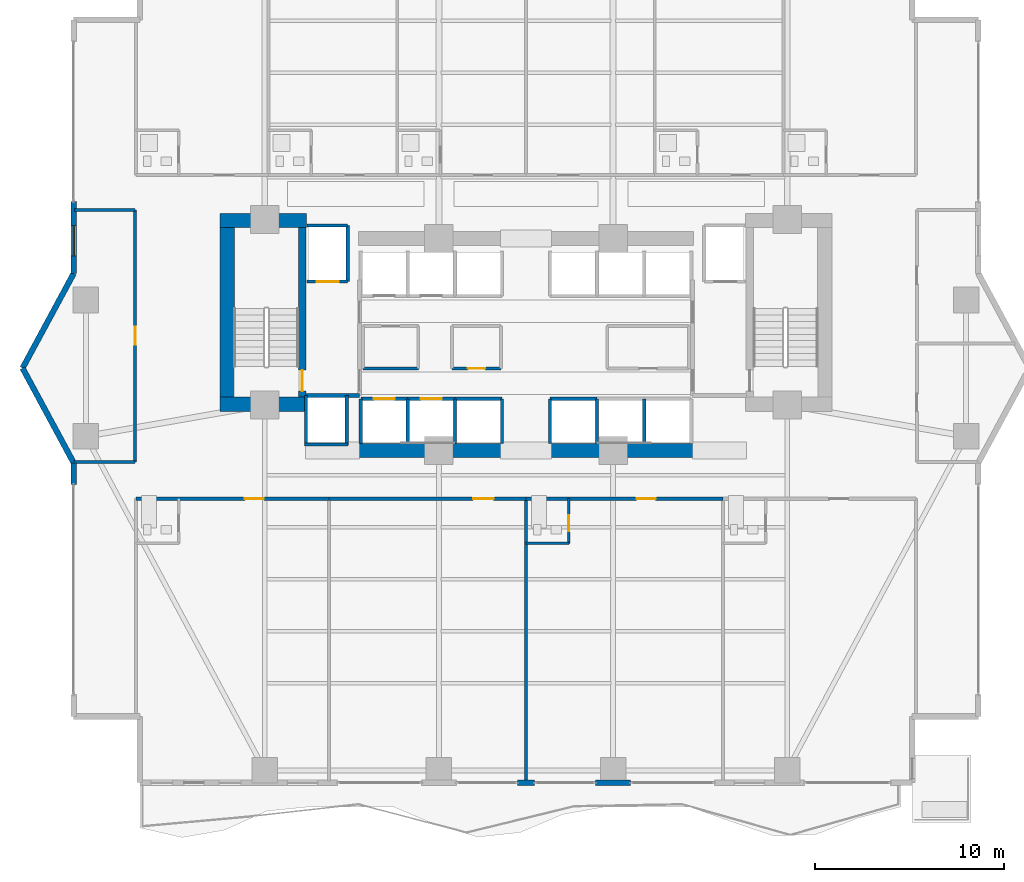
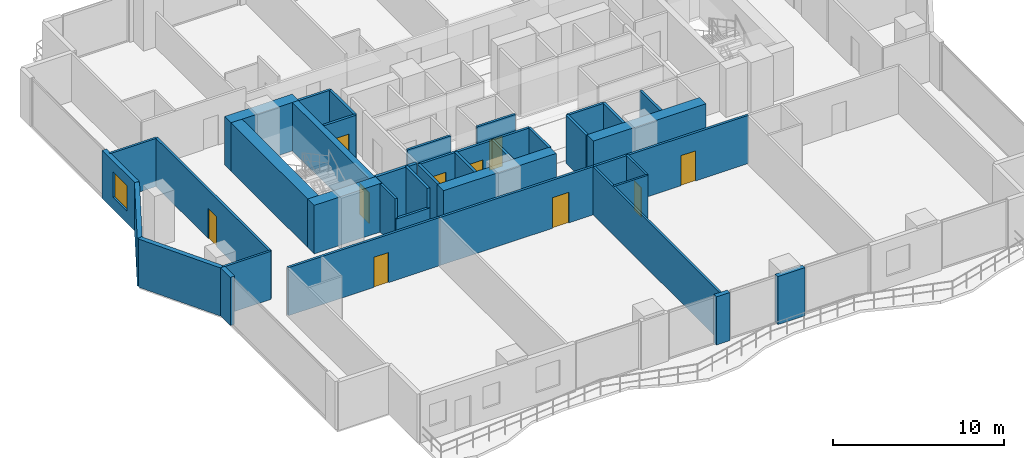
# One storey, part 21 of 29: 41 walls, 10 doors, 1 window, 11 openings.
"""IFC4 building model written with IfcOpenShell, lengths in metres."""

from ifc_helpers import new_model, si_unit, direction, frame, frame_2d, origin, place, context, subcontext, project, spatial, rectangle, extrude, material, layer, layer_set, type_object, element, fill, save


model = new_model("IFC4")

# Units and contexts
model_context = context("Model", 3, precision=1e-05, world=origin(), true_north=direction((0.0, 1.0)))
body_context = subcontext(model_context, "Body", "Model", "MODEL_VIEW")
ifc_project = project(units=[si_unit("LENGTHUNIT", "METRE"), si_unit("AREAUNIT", "SQUARE_METRE"), si_unit("VOLUMEUNIT", "CUBIC_METRE"), si_unit("PLANEANGLEUNIT", "RADIAN"), si_unit("MASSUNIT", "GRAM", prefix="KILO")], contexts=[model_context])

# Site, building, storey
site_placement = place(None, origin())
site = spatial("IfcSite", under=ifc_project, at=site_placement, CompositionType="ELEMENT")
building_placement = place(site_placement, origin())
building = spatial("IfcBuilding", under=site, at=building_placement, Name="Zuhayl Quay Hotel", CompositionType="ELEMENT")
storey_placement = place(building_placement, frame((0.0, 0.0, 132.14990234375)))
storey = spatial("IfcBuildingStorey", under=building, at=storey_placement, Name="L33", CompositionType="ELEMENT", Elevation=132.14990234375)

# Walls
ifc_material_1 = material(Name="Concrete C60/75", Category="concrete")
ifc_layer_1 = layer(ifc_material_1, 0.75, Name="Concrete C60/75", Category="concrete")
ifc_layer_set_1 = layer_set([ifc_layer_1], Name="Concrete C60/75")
wall_type_1 = type_object("IfcWallType", Name="WL_CORE_750", PredefinedType="SHEAR", material=ifc_layer_set_1)
wall_1_placement = place(storey_placement, frame((-16.159912109375, 14.304931640625, 0.0), z_axis=(0.0, 0.0, 1.0), x_axis=(1.0, 0.0, 0.0)))
element("IfcWall", 1, at=wall_1_placement, inside=storey, type_object=wall_type_1, Name="L33 Core Shear Wall CW_NW", PredefinedType="SHEAR", context=body_context, shape_type="SweptSolid", body=[
    extrude(rectangle(XDim=4.559814453125, YDim=0.75, at=frame_2d((2.27978515625, 0.0))), origin(), (0.0, 0.0, 1.0), 3.460205078125),
])
wall_2_placement = place(storey_placement, frame((-15.784912109375, 4.969970703125, 0.0), z_axis=(0.0, 0.0, 1.0), x_axis=(0.0, 1.0, 0.0)))
element("IfcWall", 2, at=wall_2_placement, inside=storey, type_object=wall_type_1, Name="L33 Core Shear Wall CW_W", PredefinedType="SHEAR", context=body_context, shape_type="SweptSolid", body=[
    extrude(rectangle(XDim=8.9599609375, YDim=0.75, at=frame_2d((4.47998046875, 0.0))), origin(), (0.0, 0.0, 1.0), 3.460205078125),
])
wall_3_placement = place(storey_placement, frame((-16.159912109375, 4.594970703125, 0.0), z_axis=(0.0, 0.0, 1.0), x_axis=(1.0, 0.0, 0.0)))
element("IfcWall", 3, at=wall_3_placement, inside=storey, type_object=wall_type_1, Name="L33 Core Shear Wall CW_SW", PredefinedType="SHEAR", context=body_context, shape_type="SweptSolid", body=[
    extrude(rectangle(XDim=4.559814453125, YDim=0.75, at=frame_2d((2.27978515625, 0.0))), origin(), (0.0, 0.0, 1.0), 3.460205078125),
])
for number, where, z_axis, x_axis, name in (
    (4, (-8.85009765625, 2.14990234375, 0.0), (0.0, 0.0, 1.0), (1.0, 0.0, 0.0), "L33 Core Shear Wall CW_SC_W"),
    (5, (1.25, 2.14990234375, 0.0), (0.0, 0.0, 1.0), (1.0, 0.0, 0.0), "L33 Core Shear Wall CW_SC_E"),
):
    element("IfcWall", number, at=place(storey_placement, frame(where, z_axis=z_axis, x_axis=x_axis)), inside=storey, type_object=wall_type_1, Name=name, PredefinedType="SHEAR", context=body_context, shape_type="SweptSolid", body=[
        extrude(rectangle(XDim=7.60009765625, YDim=0.75, at=frame_2d((3.800048828125, 0.0))), origin(), (0.0, 0.0, 1.0), 3.43017578125),
    ])
ifc_material_2 = material(Name="Precast concrete C45/55", Category="concrete")
ifc_layer_2 = layer(ifc_material_2, 0.300048828125, Name="Precast concrete C45/55", Category="concrete")
ifc_layer_set_2 = layer_set([ifc_layer_2], Name="Precast concrete C45/55")
wall_type_2 = type_object("IfcWallType", Name="WL_EXT_300", PredefinedType="STANDARD", material=ifc_layer_set_2)
wall_4_placement = place(storey_placement, frame((-23.89990234375, 0.35009765625, 0.0), z_axis=(0.0, 0.0, 1.0), x_axis=(0.0, 1.0, 0.0)))
element("IfcWall", 6, at=wall_4_placement, inside=storey, type_object=wall_type_2, Name="L33 Exterior Precast Wall ENV_L33_E02_EW2", PredefinedType="STANDARD", context=body_context, shape_type="SweptSolid", body=[
    extrude(rectangle(XDim=1.14990234375, YDim=0.300048828125, at=frame_2d((0.574951171875, 0.0))), origin(), (0.0, 0.0, 1.0), 3.43017578125),
])
for number, where, z_axis, x_axis, name in (
    (7, (-23.89990234375, 1.5, 0.0), (0.0, 0.0, 1.0), (-0.475175525499, 0.879891027325, 0.0), "L33 Exterior Precast Wall ENV_L33_EW03"),
    (8, (-26.60009765625, 6.5, 0.0), (0.0, 0.0, 1.0), (0.475175525499, 0.879891027325, 0.0), "L33 Exterior Precast Wall ENV_L33_EW04"),
):
    element("IfcWall", number, at=place(storey_placement, frame(where, z_axis=z_axis, x_axis=x_axis)), inside=storey, type_object=wall_type_2, Name=name, PredefinedType="STANDARD", context=body_context, shape_type="SweptSolid", body=[
        extrude(rectangle(XDim=5.6826171875, YDim=0.300048828125, at=frame_2d((2.84130859375, 0.0))), origin(), (0.0, 0.0, 1.0), 3.43017578125),
    ])

# Wall, opening, window
wall_5_placement = place(storey_placement, frame((-23.89990234375, 11.5, 0.0), z_axis=(0.0, 0.0, 1.0), x_axis=(0.0, 1.0, 0.0)))
wall_5 = element("IfcWall", 9, at=wall_5_placement, inside=storey, type_object=wall_type_2, Name="L33 Exterior Precast Wall ENV_L33_E05_EW1", PredefinedType="STANDARD", context=body_context, shape_type="SweptSolid", body=[
    extrude(rectangle(XDim=3.800048828125, YDim=0.300048828125, at=frame_2d((1.89990234375, 0.0))), origin(), (0.0, 0.0, 1.0), 3.43017578125),
])
opening_1_placement = place(wall_5_placement, frame((0.93505859375, 0.0, 0.85009765625)))
opening_1 = element("IfcOpeningElement", 10, at=opening_1_placement, cuts=wall_5, Name="Opening W01", PredefinedType="OPENING", context=body_context, shape_type="SweptSolid", body=[
    extrude(rectangle(XDim=1.60009765625, YDim=1.800048828125, at=frame_2d((0.800048828125, 0.89990234375))), frame((0.0, 0.159912109375, 0.0), z_axis=(0.0, -1.0, 0.0), x_axis=(1.0, 0.0, 0.0)), (0.0, 0.0, 1.0), 0.320068359375),
])
ifc_material_3 = material(Name="Dark Ceramic-Fritted Solar Glass", Category="glass")
window_type = type_object("IfcWindowType", Name="WN_OPERABLE_1600", PartitioningType="DOUBLE_PANEL_VERTICAL", PredefinedType="WINDOW", material=ifc_material_3)
window_placement = place(opening_1_placement, origin())
window = element("IfcWindow", 11, at=window_placement, inside=storey, type_object=window_type, Name="L33 Operable Facade Window 1-1", OverallHeight=1.800048828125, OverallWidth=1.60009765625, PartitioningType="SINGLE_PANEL", PredefinedType="WINDOW", context=body_context, shape_type="SweptSolid", body=[
    extrude(rectangle(XDim=1.60009765625, YDim=1.800048828125, at=frame_2d((0.800048828125, 0.89990234375))), frame((0.0, 0.030029296875, 0.0), z_axis=(0.0, -1.0, 0.0), x_axis=(1.0, 0.0, 0.0)), (0.0, 0.0, 1.0), 0.06005859375),
])
fill(opening_1, window)

# Walls
wall_6_placement = place(storey_placement, frame((5.52001953125, -15.39990234375, 0.0), z_axis=(0.0, 0.0, 1.0), x_axis=(-1.0, 0.0, 0.0)))
element("IfcWall", 12, at=wall_6_placement, inside=storey, type_object=wall_type_2, Name="L33 Exterior Precast Wall ENV_L33_S_EW3", PredefinedType="STANDARD", context=body_context, shape_type="SweptSolid", body=[
    extrude(rectangle(XDim=1.840087890625, YDim=0.300048828125, at=frame_2d((0.919921875, 0.0))), origin(), (0.0, 0.0, 1.0), 3.43017578125),
])
wall_7_placement = place(storey_placement, frame((0.449951171875, -15.39990234375, 0.0), z_axis=(0.0, 0.0, 1.0), x_axis=(-1.0, 0.0, 0.0)))
element("IfcWall", 13, at=wall_7_placement, inside=storey, type_object=wall_type_2, Name="L33 Exterior Precast Wall ENV_L33_S_EW4", PredefinedType="STANDARD", context=body_context, shape_type="SweptSolid", body=[
    extrude(rectangle(XDim=0.89990234375, YDim=0.300048828125, at=frame_2d((0.449951171875, 0.0))), origin(), (0.0, 0.0, 1.0), 3.43017578125),
])

# Wall, opening, door
ifc_material_4 = material(Name="Acoustic Gypsum Partition STC-58")
ifc_layer_3 = layer(ifc_material_4, 0.14990234375, Name="Acoustic Gypsum Partition STC-58")
ifc_layer_set_3 = layer_set([ifc_layer_3], Name="Acoustic Gypsum Partition STC-58")
wall_type_3 = type_object("IfcWallType", Name="WL_PART_150", PredefinedType="PARTITIONING", material=ifc_layer_set_3)
wall_8_placement = place(storey_placement, frame((-3.909912109375, 6.47998046875, 0.0), z_axis=(0.0, 0.0, 1.0), x_axis=(1.0, 0.0, 0.0)))
wall_8 = element("IfcWall", 14, at=wall_8_placement, inside=storey, type_object=wall_type_3, Name="L33 Partition IW_L33_CORE_BC_S", PredefinedType="PARTITIONING", context=body_context, shape_type="SweptSolid", body=[
    extrude(rectangle(XDim=2.58984375, YDim=0.14990234375, at=frame_2d((1.294921875, 0.0))), origin(), (0.0, 0.0, 1.0), 3.43017578125),
])
opening_2_placement = place(wall_8_placement, frame((0.844970703125, 0.0, 0.0)))
opening_2 = element("IfcOpeningElement", 15, at=opening_2_placement, cuts=wall_8, Name="Opening D06", PredefinedType="OPENING", context=body_context, shape_type="SweptSolid", body=[
    extrude(rectangle(XDim=0.89990234375, YDim=2.14990234375, at=frame_2d((0.449951171875, 1.074951171875))), frame((0.0, 0.0849609375, 0.0), z_axis=(0.0, -1.0, 0.0), x_axis=(1.0, 0.0, 0.0)), (0.0, 0.0, 1.0), 0.169921875),
])
ifc_material_5 = material(Name="Steel ASTM A992 Grade 50", Category="steel")
door_type_1 = type_object("IfcDoorType", Name="DR_INT_900", OperationType="NOTDEFINED", PredefinedType="DOOR", material=ifc_material_5)
door_1_placement = place(opening_2_placement, origin())
door_1 = element("IfcDoor", 16, at=door_1_placement, inside=storey, type_object=door_type_1, Name="L33 BMS Control Closet Door", OperationType="SINGLE_SWING_LEFT", OverallHeight=2.14990234375, OverallWidth=0.89990234375, PredefinedType="DOOR", context=body_context, shape_type="SweptSolid", body=[
    extrude(rectangle(XDim=0.89990234375, YDim=2.14990234375, at=frame_2d((0.449951171875, 1.074951171875))), frame((0.0, 0.02490234375, 0.0), z_axis=(0.0, -1.0, 0.0), x_axis=(1.0, 0.0, 0.0)), (0.0, 0.0, 1.0), 0.050048828125),
])
fill(opening_2, door_1)

# Walls
wall_9_placement = place(storey_placement, frame((-8.610107421875, 6.47998046875, 0.0), z_axis=(0.0, 0.0, 1.0), x_axis=(1.0, 0.0, 0.0)))
element("IfcWall", 17, at=wall_9_placement, inside=storey, type_object=wall_type_3, Name="L33 Partition IW_L33_CORE_HK_S", PredefinedType="PARTITIONING", context=body_context, shape_type="SweptSolid", body=[
    extrude(rectangle(XDim=2.920166015625, YDim=0.14990234375, at=frame_2d((1.4599609375, 0.0))), origin(), (0.0, 0.0, 1.0), 3.43017578125),
])
wall_10_placement = place(storey_placement, frame((0.0, -15.340087890625, 0.0), z_axis=(0.0, 0.0, 1.0), x_axis=(0.0, 1.0, 0.0)))
element("IfcWall", 18, at=wall_10_placement, inside=storey, type_object=wall_type_3, Name="L33 Partition IW_L33_SSAL_1_E", PredefinedType="PARTITIONING", context=body_context, shape_type="SweptSolid", body=[
    extrude(rectangle(XDim=14.940185546875, YDim=0.14990234375, at=frame_2d((7.47021484375, 0.0))), origin(), (0.0, 0.0, 1.0), 3.43017578125),
])
wall_11_placement = place(storey_placement, frame((-23.866943359375, 1.550048828125, 0.0), z_axis=(0.0, 0.0, 1.0), x_axis=(1.0, 0.0, 0.0)))
element("IfcWall", 19, at=wall_11_placement, inside=storey, type_object=wall_type_3, Name="L33 Partition IW_L33_WPROW_1_S", PredefinedType="PARTITIONING", context=body_context, shape_type="SweptSolid", body=[
    extrude(rectangle(XDim=3.217041015625, YDim=0.14990234375, at=frame_2d((1.6083984375, 0.0))), origin(), (0.0, 0.0, 1.0), 3.43017578125),
])
wall_12_placement = place(storey_placement, frame((-23.840087890625, 14.85009765625, 0.0), z_axis=(0.0, 0.0, 1.0), x_axis=(1.0, 0.0, 0.0)))
element("IfcWall", 20, at=wall_12_placement, inside=storey, type_object=wall_type_3, Name="L33 Partition IW_L33_WPROW_1_N", PredefinedType="PARTITIONING", context=body_context, shape_type="SweptSolid", body=[
    extrude(rectangle(XDim=3.190185546875, YDim=0.14990234375, at=frame_2d((1.59521484375, 0.0))), origin(), (0.0, 0.0, 1.0), 3.43017578125),
])

# Wall, opening, door
ifc_layer_4 = layer(ifc_material_4, 0.159912109375, Name="Acoustic Gypsum Partition STC-58")
ifc_layer_set_4 = layer_set([ifc_layer_4], Name="Acoustic Gypsum Partition STC-58")
wall_type_4 = type_object("IfcWallType", Name="WL_PART_CORR_160", PredefinedType="PARTITIONING", material=ifc_layer_set_4)
wall_13_placement = place(storey_placement, frame((-20.60009765625, -0.39990234375, 0.0), z_axis=(0.0, 0.0, 1.0), x_axis=(1.0, 0.0, 0.0)))
wall_13 = element("IfcWall", 21, at=wall_13_placement, inside=storey, type_object=wall_type_4, Name="L33 Partition IW_L33_SU01_COR", PredefinedType="PARTITIONING", context=body_context, shape_type="SweptSolid", body=[
    extrude(rectangle(XDim=10.2001953125, YDim=0.159912109375, at=frame_2d((5.10009765625, 0.0))), origin(), (0.0, 0.0, 1.0), 3.43017578125),
])
opening_3_placement = place(wall_13_placement, frame((5.75, 0.0, 0.0)))
opening_3 = element("IfcOpeningElement", 22, at=opening_3_placement, cuts=wall_13, Name="Opening D03L", PredefinedType="OPENING", context=body_context, shape_type="SweptSolid", body=[
    extrude(rectangle(XDim=1.0, YDim=2.14990234375, at=frame_2d((0.5, 1.074951171875))), frame((0.0, 0.08984375, 0.0), z_axis=(0.0, -1.0, 0.0), x_axis=(1.0, 0.0, 0.0)), (0.0, 0.0, 1.0), 0.179931640625),
])
ifc_material_6 = material(Name="Solid Walnut Acoustic Fire Door")
door_type_2 = type_object("IfcDoorType", Name="DR_SUITE_1000", OperationType="NOTDEFINED", PredefinedType="DOOR", material=ifc_material_6)
door_2_placement = place(opening_3_placement, origin())
door_2 = element("IfcDoor", 23, at=door_2_placement, inside=storey, type_object=door_type_2, Name="L33 City-View Junior Suite L33-01 Entrance Door", OperationType="SINGLE_SWING_LEFT", OverallHeight=2.14990234375, OverallWidth=1.0, PredefinedType="DOOR", context=body_context, shape_type="SweptSolid", body=[
    extrude(rectangle(XDim=1.0, YDim=2.14990234375, at=frame_2d((0.5, 1.074951171875))), frame((0.0, 0.02490234375, 0.0), z_axis=(0.0, -1.0, 0.0), x_axis=(1.0, 0.0, 0.0)), (0.0, 0.0, 1.0), 0.050048828125),
])
fill(opening_3, door_2)

wall_14_placement = place(storey_placement, frame((-10.39990234375, -0.39990234375, 0.0), z_axis=(0.0, 0.0, 1.0), x_axis=(1.0, 0.0, 0.0)))
wall_14 = element("IfcWall", 24, at=wall_14_placement, inside=storey, type_object=wall_type_4, Name="L33 Partition IW_L33_SSAL_1_N", PredefinedType="PARTITIONING", context=body_context, shape_type="SweptSolid", body=[
    extrude(rectangle(XDim=10.39990234375, YDim=0.159912109375, at=frame_2d((5.199951171875, 0.0))), origin(), (0.0, 0.0, 1.0), 3.43017578125),
])
opening_4_placement = place(wall_14_placement, frame((7.610107421875, 0.0, 0.0)))
opening_4 = element("IfcOpeningElement", 25, at=opening_4_placement, cuts=wall_14, Name="Opening D05A", PredefinedType="OPENING", context=body_context, shape_type="SweptSolid", body=[
    extrude(rectangle(XDim=1.080078125, YDim=2.179931640625, at=frame_2d((0.5400390625, 1.08984375))), frame((0.0, 0.08984375, 0.0), z_axis=(0.0, -1.0, 0.0), x_axis=(1.0, 0.0, 0.0)), (0.0, 0.0, 1.0), 0.179931640625),
])
door_type_3 = type_object("IfcDoorType", Name="DR_INT_1100", OperationType="NOTDEFINED", PredefinedType="DOOR", material=ifc_material_6)
door_3_placement = place(opening_4_placement, origin())
door_3 = element("IfcDoor", 26, at=door_3_placement, inside=storey, type_object=door_type_3, Name="L33 South Sunset Salon L33 Door", OperationType="SINGLE_SWING_RIGHT", OverallHeight=2.179931640625, OverallWidth=1.080078125, PredefinedType="DOOR", context=body_context, shape_type="SweptSolid", body=[
    extrude(rectangle(XDim=1.080078125, YDim=2.179931640625, at=frame_2d((0.5400390625, 1.08984375))), frame((0.0, 0.02490234375, 0.0), z_axis=(0.0, -1.0, 0.0), x_axis=(1.0, 0.0, 0.0)), (0.0, 0.0, 1.0), 0.050048828125),
])
fill(opening_4, door_3)

wall_15_placement = place(storey_placement, frame((0.0, -0.39990234375, 0.0), z_axis=(0.0, 0.0, 1.0), x_axis=(1.0, 0.0, 0.0)))
wall_15 = element("IfcWall", 27, at=wall_15_placement, inside=storey, type_object=wall_type_4, Name="L33 Partition IW_L33_SU03_COR", PredefinedType="PARTITIONING", context=body_context, shape_type="SweptSolid", body=[
    extrude(rectangle(XDim=10.39990234375, YDim=0.159912109375, at=frame_2d((5.199951171875, 0.0))), origin(), (0.0, 0.0, 1.0), 3.43017578125),
])
opening_5_placement = place(wall_15_placement, frame((5.85009765625, 0.0, 0.0)))
opening_5 = element("IfcOpeningElement", 28, at=opening_5_placement, cuts=wall_15, Name="Opening D03L", PredefinedType="OPENING", context=body_context, shape_type="SweptSolid", body=[
    extrude(rectangle(XDim=1.0, YDim=2.14990234375, at=frame_2d((0.5, 1.074951171875))), frame((0.0, 0.08984375, 0.0), z_axis=(0.0, -1.0, 0.0), x_axis=(1.0, 0.0, 0.0)), (0.0, 0.0, 1.0), 0.179931640625),
])
door_4_placement = place(opening_5_placement, origin())
door_4 = element("IfcDoor", 29, at=door_4_placement, inside=storey, type_object=door_type_2, Name="L33 City-View Junior Suite L33-03 Entrance Door", OperationType="SINGLE_SWING_RIGHT", OverallHeight=2.14990234375, OverallWidth=1.0, PredefinedType="DOOR", context=body_context, shape_type="SweptSolid", body=[
    extrude(rectangle(XDim=1.0, YDim=2.14990234375, at=frame_2d((0.5, 1.074951171875))), frame((0.0, 0.02490234375, 0.0), z_axis=(0.0, -1.0, 0.0), x_axis=(1.0, 0.0, 0.0)), (0.0, 0.0, 1.0), 0.050048828125),
])
fill(opening_5, door_4)

wall_16_placement = place(storey_placement, frame((-20.64990234375, 1.550048828125, 0.0), z_axis=(0.0, 0.0, 1.0), x_axis=(0.0, 1.0, 0.0)))
wall_16 = element("IfcWall", 30, at=wall_16_placement, inside=storey, type_object=wall_type_4, Name="L33 Partition IW_L33_WPROW_1_E", PredefinedType="PARTITIONING", context=body_context, shape_type="SweptSolid", body=[
    extrude(rectangle(XDim=13.300048828125, YDim=0.159912109375, at=frame_2d((6.64990234375, 0.0))), origin(), (0.0, 0.0, 1.0), 3.43017578125),
])
opening_6_placement = place(wall_16_placement, frame((6.175048828125, 0.0, 0.0)))
opening_6 = element("IfcOpeningElement", 31, at=opening_6_placement, cuts=wall_16, Name="Opening D03", PredefinedType="OPENING", context=body_context, shape_type="SweptSolid", body=[
    extrude(rectangle(XDim=0.949951171875, YDim=2.14990234375, at=frame_2d((0.47509765625, 1.074951171875))), frame((0.0, 0.08984375, 0.0), z_axis=(0.0, -1.0, 0.0), x_axis=(1.0, 0.0, 0.0)), (0.0, 0.0, 1.0), 0.179931640625),
])
door_type_4 = type_object("IfcDoorType", Name="DR_SUITE_950", OperationType="NOTDEFINED", PredefinedType="DOOR", material=ifc_material_6)
door_5_placement = place(opening_6_placement, origin())
door_5 = element("IfcDoor", 32, at=door_5_placement, inside=storey, type_object=door_type_4, Name="L33 West Prow Panoramic Salon L33 Door", OperationType="SINGLE_SWING_LEFT", OverallHeight=2.14990234375, OverallWidth=0.949951171875, PredefinedType="DOOR", context=body_context, shape_type="SweptSolid", body=[
    extrude(rectangle(XDim=0.949951171875, YDim=2.14990234375, at=frame_2d((0.47509765625, 1.074951171875))), frame((0.0, 0.02490234375, 0.0), z_axis=(0.0, -1.0, 0.0), x_axis=(1.0, 0.0, 0.0)), (0.0, 0.0, 1.0), 0.050048828125),
])
fill(opening_6, door_5)

ifc_material_7 = material(Name="Moisture-Resistant Sanitarychase Gypsum")
ifc_layer_5 = layer(ifc_material_7, 0.135009765625, Name="Moisture-Resistant Sanitarychase Gypsum")
ifc_layer_set_5 = layer_set([ifc_layer_5], Name="Moisture-Resistant Sanitarychase Gypsum")
wall_type_5 = type_object("IfcWallType", Name="WL_PART_PLUMB_150", PredefinedType="PLUMBINGWALL", material=ifc_layer_set_5)
wall_17_placement = place(storey_placement, frame((2.260009765625, -2.760009765625, 0.0), z_axis=(0.0, 0.0, 1.0), x_axis=(0.0, 1.0, 0.0)))
wall_17 = element("IfcWall", 33, at=wall_17_placement, inside=storey, type_object=wall_type_5, Name="L33 Partition IW_L33_SU03_BE", PredefinedType="PLUMBINGWALL", context=body_context, shape_type="SweptSolid", body=[
    extrude(rectangle(XDim=2.360107421875, YDim=0.135009765625, at=frame_2d((1.18017578125, 0.0))), origin(), (0.0, 0.0, 1.0), 3.43017578125),
])
opening_7_placement = place(wall_17_placement, frame((0.64990234375, 0.0, 0.0)))
opening_7 = element("IfcOpeningElement", 34, at=opening_7_placement, cuts=wall_17, Name="Opening D04", PredefinedType="OPENING", context=body_context, shape_type="SweptSolid", body=[
    extrude(rectangle(XDim=0.85009765625, YDim=2.10009765625, at=frame_2d((0.425048828125, 1.050048828125))), frame((0.0, 0.077392578125, 0.0), z_axis=(0.0, -1.0, 0.0), x_axis=(1.0, 0.0, 0.0)), (0.0, 0.0, 1.0), 0.155029296875),
])
ifc_material_8 = material(Name="Moisture-Resistant Walnut Veneer")
door_type_5 = type_object("IfcDoorType", Name="DR_BATH_850", OperationType="NOTDEFINED", PredefinedType="DOOR", material=ifc_material_8)
door_6_placement = place(opening_7_placement, origin())
door_6 = element("IfcDoor", 35, at=door_6_placement, inside=storey, type_object=door_type_5, Name="L33 City-View Junior Suite L33-03 En-Suite Door", OperationType="SINGLE_SWING_LEFT", OverallHeight=2.10009765625, OverallWidth=0.85009765625, PredefinedType="DOOR", context=body_context, shape_type="SweptSolid", body=[
    extrude(rectangle(XDim=0.85009765625, YDim=2.10009765625, at=frame_2d((0.425048828125, 1.050048828125))), frame((0.0, 0.02490234375, 0.0), z_axis=(0.0, -1.0, 0.0), x_axis=(1.0, 0.0, 0.0)), (0.0, 0.0, 1.0), 0.050048828125),
])
fill(opening_7, door_6)

# Wall
wall_18_placement = place(storey_placement, frame((0.0, -2.760009765625, 0.0), z_axis=(0.0, 0.0, 1.0), x_axis=(1.0, 0.0, 0.0)))
element("IfcWall", 36, at=wall_18_placement, inside=storey, type_object=wall_type_5, Name="L33 Partition IW_L33_SU03_BS", PredefinedType="PLUMBINGWALL", context=body_context, shape_type="SweptSolid", body=[
    extrude(rectangle(XDim=2.260009765625, YDim=0.135009765625, at=frame_2d((1.1298828125, 0.0))), origin(), (0.0, 0.0, 1.0), 3.43017578125),
])

# Wall, opening, door
ifc_material_9 = material(Name="Gypsum Fireboard Assembly EI-90")
ifc_layer_6 = layer(ifc_material_9, 0.1650390625, Name="Gypsum Fireboard Assembly EI-90")
ifc_layer_set_6 = layer_set([ifc_layer_6], Name="Gypsum Fireboard Assembly EI-90")
wall_type_6 = type_object("IfcWallType", Name="WL_PART_SHAFT_160", PredefinedType="PARTITIONING", material=ifc_layer_set_6)
wall_19_placement = place(storey_placement, frame((-11.580078125, 11.070068359375, 0.0), z_axis=(0.0, 0.0, 1.0), x_axis=(1.0, 0.0, 0.0)))
wall_19 = element("IfcWall", 37, at=wall_19_placement, inside=storey, type_object=wall_type_6, Name="L33 Partition IW_L33_SH_FL1_F", PredefinedType="PARTITIONING", context=body_context, shape_type="SweptSolid", body=[
    extrude(rectangle(XDim=2.16015625, YDim=0.1650390625, at=frame_2d((1.080078125, 0.0))), origin(), (0.0, 0.0, 1.0), 3.43017578125),
])
opening_8_placement = place(wall_19_placement, frame((0.530029296875, 0.0, 0.0)))
opening_8 = element("IfcOpeningElement", 38, at=opening_8_placement, cuts=wall_19, Name="Opening LD2", PredefinedType="OPENING", context=body_context, shape_type="SweptSolid", body=[
    extrude(rectangle(XDim=1.14990234375, YDim=2.25, at=frame_2d((0.574951171875, 1.125))), frame((0.0, 0.092529296875, 0.0), z_axis=(0.0, -1.0, 0.0), x_axis=(1.0, 0.0, 0.0)), (0.0, 0.0, 1.0), 0.18505859375),
])
ifc_material_10 = material(Name="Brushed Stainless Steel", Category="steel")
door_type_6 = type_object("IfcDoorType", Name="DR_LIFT_FF_1100", OperationType="SLIDING_TO_LEFT", PredefinedType="DOOR", material=ifc_material_10)
door_7_placement = place(opening_8_placement, origin())
door_7 = element("IfcDoor", 39, at=door_7_placement, inside=storey, type_object=door_type_6, Name="L33 Lift FL1 Sliding Landing Door", OperationType="SLIDING_TO_LEFT", OverallHeight=2.25, OverallWidth=1.14990234375, PredefinedType="DOOR", context=body_context, shape_type="SweptSolid", body=[
    extrude(rectangle(XDim=1.14990234375, YDim=2.25, at=frame_2d((0.574951171875, 1.125))), frame((0.0, 0.02490234375, 0.0), z_axis=(0.0, -1.0, 0.0), x_axis=(1.0, 0.0, 0.0)), (0.0, 0.0, 1.0), 0.050048828125),
])
fill(opening_8, door_7)

wall_20_placement = place(storey_placement, frame((-8.72998046875, 4.8798828125, 0.0), z_axis=(0.0, 0.0, 1.0), x_axis=(1.0, 0.0, 0.0)))
wall_20 = element("IfcWall", 40, at=wall_20_placement, inside=storey, type_object=wall_type_6, Name="L33 Partition IW_L33_SH_LP1_F", PredefinedType="PARTITIONING", context=body_context, shape_type="SweptSolid", body=[
    extrude(rectangle(XDim=2.47998046875, YDim=0.1650390625, at=frame_2d((1.239990234375, 0.0))), origin(), (0.0, 0.0, 1.0), 3.43017578125),
])
opening_9_placement = place(wall_20_placement, frame((0.68994140625, 0.0, 0.0)))
opening_9 = element("IfcOpeningElement", 41, at=opening_9_placement, cuts=wall_20, Name="Opening LD1", PredefinedType="OPENING", context=body_context, shape_type="SweptSolid", body=[
    extrude(rectangle(XDim=1.10009765625, YDim=2.25, at=frame_2d((0.550048828125, 1.125))), frame((0.0, 0.092529296875, 0.0), z_axis=(0.0, -1.0, 0.0), x_axis=(1.0, 0.0, 0.0)), (0.0, 0.0, 1.0), 0.18505859375),
])
door_type_7 = type_object("IfcDoorType", Name="DR_LIFT_PASS_1100", OperationType="SLIDING_TO_LEFT", PredefinedType="DOOR", material=ifc_material_10)
door_8_placement = place(opening_9_placement, origin())
door_8 = element("IfcDoor", 42, at=door_8_placement, inside=storey, type_object=door_type_7, Name="L33 Lift LP1 Sliding Landing Door", OperationType="SLIDING_TO_LEFT", OverallHeight=2.25, OverallWidth=1.10009765625, PredefinedType="DOOR", context=body_context, shape_type="SweptSolid", body=[
    extrude(rectangle(XDim=1.10009765625, YDim=2.25, at=frame_2d((0.550048828125, 1.125))), frame((0.0, 0.02490234375, 0.0), z_axis=(0.0, -1.0, 0.0), x_axis=(1.0, 0.0, 0.0)), (0.0, 0.0, 1.0), 0.050048828125),
])
fill(opening_9, door_8)

wall_21_placement = place(storey_placement, frame((-6.25, 4.8798828125, 0.0), z_axis=(0.0, 0.0, 1.0), x_axis=(1.0, 0.0, 0.0)))
wall_21 = element("IfcWall", 43, at=wall_21_placement, inside=storey, type_object=wall_type_6, Name="L33 Partition IW_L33_SH_LP2_F", PredefinedType="PARTITIONING", context=body_context, shape_type="SweptSolid", body=[
    extrude(rectangle(XDim=2.5, YDim=0.1650390625, at=frame_2d((1.25, 0.0))), origin(), (0.0, 0.0, 1.0), 3.43017578125),
])
opening_10_placement = place(wall_21_placement, frame((0.699951171875, 0.0, 0.0)))
opening_10 = element("IfcOpeningElement", 44, at=opening_10_placement, cuts=wall_21, Name="Opening LD1", PredefinedType="OPENING", context=body_context, shape_type="SweptSolid", body=[
    extrude(rectangle(XDim=1.10009765625, YDim=2.25, at=frame_2d((0.550048828125, 1.125))), frame((0.0, 0.092529296875, 0.0), z_axis=(0.0, -1.0, 0.0), x_axis=(1.0, 0.0, 0.0)), (0.0, 0.0, 1.0), 0.18505859375),
])
door_9_placement = place(opening_10_placement, origin())
door_9 = element("IfcDoor", 45, at=door_9_placement, inside=storey, type_object=door_type_7, Name="L33 Lift LP2 Sliding Landing Door", OperationType="SLIDING_TO_LEFT", OverallHeight=2.25, OverallWidth=1.10009765625, PredefinedType="DOOR", context=body_context, shape_type="SweptSolid", body=[
    extrude(rectangle(XDim=1.10009765625, YDim=2.25, at=frame_2d((0.550048828125, 1.125))), frame((0.0, 0.02490234375, 0.0), z_axis=(0.0, -1.0, 0.0), x_axis=(1.0, 0.0, 0.0)), (0.0, 0.0, 1.0), 0.050048828125),
])
fill(opening_10, door_9)

# Walls
wall_22_placement = place(storey_placement, frame((-9.419921875, 11.070068359375, 0.0), z_axis=(0.0, 0.0, 1.0), x_axis=(0.0, 1.0, 0.0)))
element("IfcWall", 46, at=wall_22_placement, inside=storey, type_object=wall_type_6, Name="L33 Partition IW_L33_SH_FL1_E", PredefinedType="PARTITIONING", context=body_context, shape_type="SweptSolid", body=[
    extrude(rectangle(XDim=2.9599609375, YDim=0.1650390625, at=frame_2d((1.47998046875, 0.0))), origin(), (0.0, 0.0, 1.0), 3.43017578125),
])
wall_23_placement = place(storey_placement, frame((-11.580078125, 14.030029296875, 0.0), z_axis=(0.0, 0.0, 1.0), x_axis=(1.0, 0.0, 0.0)))
element("IfcWall", 47, at=wall_23_placement, inside=storey, type_object=wall_type_6, Name="L33 Partition IW_L33_SH_FL1_B", PredefinedType="PARTITIONING", context=body_context, shape_type="SweptSolid", body=[
    extrude(rectangle(XDim=2.16015625, YDim=0.1650390625, at=frame_2d((1.080078125, 0.0))), origin(), (0.0, 0.0, 1.0), 3.43017578125),
])
for number, where, z_axis, x_axis, name in (
    (48, (-8.72998046875, 2.52001953125, 0.0), (0.0, 0.0, 1.0), (0.0, 1.0, 0.0), "L33 Partition IW_L33_SH_LP1_W"),
    (49, (-6.25, 2.52001953125, 0.0), (0.0, 0.0, 1.0), (0.0, 1.0, 0.0), "L33 Partition IW_L33_SH_LP1_E"),
    (50, (-3.75, 2.52001953125, 0.0), (0.0, 0.0, 1.0), (0.0, 1.0, 0.0), "L33 Partition IW_L33_SH_LP2_E"),
):
    element("IfcWall", number, at=place(storey_placement, frame(where, z_axis=z_axis, x_axis=x_axis)), inside=storey, type_object=wall_type_6, Name=name, PredefinedType="PARTITIONING", context=body_context, shape_type="SweptSolid", body=[
        extrude(rectangle(XDim=2.35986328125, YDim=0.1650390625, at=frame_2d((1.179931640625, 0.0))), origin(), (0.0, 0.0, 1.0), 3.43017578125),
    ])
wall_24_placement = place(storey_placement, frame((-3.75, 4.8798828125, 0.0), z_axis=(0.0, 0.0, 1.0), x_axis=(1.0, 0.0, 0.0)))
element("IfcWall", 51, at=wall_24_placement, inside=storey, type_object=wall_type_6, Name="L33 Partition IW_L33_SH_MP1_F", PredefinedType="PARTITIONING", context=body_context, shape_type="SweptSolid", body=[
    extrude(rectangle(XDim=2.47998046875, YDim=0.1650390625, at=frame_2d((1.239990234375, 0.0))), origin(), (0.0, 0.0, 1.0), 3.43017578125),
])
wall_25_placement = place(storey_placement, frame((-1.27001953125, 2.52001953125, 0.0), z_axis=(0.0, 0.0, 1.0), x_axis=(0.0, 1.0, 0.0)))
element("IfcWall", 52, at=wall_25_placement, inside=storey, type_object=wall_type_6, Name="L33 Partition IW_L33_SH_MP1_E", PredefinedType="PARTITIONING", context=body_context, shape_type="SweptSolid", body=[
    extrude(rectangle(XDim=2.35986328125, YDim=0.1650390625, at=frame_2d((1.179931640625, 0.0))), origin(), (0.0, 0.0, 1.0), 3.43017578125),
])
wall_26_placement = place(storey_placement, frame((1.27001953125, 4.8798828125, 0.0), z_axis=(0.0, 0.0, 1.0), x_axis=(1.0, 0.0, 0.0)))
element("IfcWall", 53, at=wall_26_placement, inside=storey, type_object=wall_type_6, Name="L33 Partition IW_L33_SH_MP2_F", PredefinedType="PARTITIONING", context=body_context, shape_type="SweptSolid", body=[
    extrude(rectangle(XDim=2.47998046875, YDim=0.1650390625, at=frame_2d((1.239990234375, 0.0))), origin(), (0.0, 0.0, 1.0), 3.43017578125),
])
for number, where, z_axis, x_axis, name in (
    (54, (1.27001953125, 2.52001953125, 0.0), (0.0, 0.0, 1.0), (0.0, 1.0, 0.0), "L33 Partition IW_L33_SH_MP2_W"),
    (55, (3.75, 2.52001953125, 0.0), (0.0, 0.0, 1.0), (0.0, 1.0, 0.0), "L33 Partition IW_L33_SH_MP2_E"),
    (56, (6.25, 2.52001953125, 0.0), (0.0, 0.0, 1.0), (0.0, 1.0, 0.0), "L33 Partition IW_L33_SH_HP1_E"),
):
    element("IfcWall", number, at=place(storey_placement, frame(where, z_axis=z_axis, x_axis=x_axis)), inside=storey, type_object=wall_type_6, Name=name, PredefinedType="PARTITIONING", context=body_context, shape_type="SweptSolid", body=[
        extrude(rectangle(XDim=2.35986328125, YDim=0.1650390625, at=frame_2d((1.179931640625, 0.0))), origin(), (0.0, 0.0, 1.0), 3.43017578125),
    ])
wall_27_placement = place(storey_placement, frame((-11.6298828125, 2.469970703125, 0.0), z_axis=(0.0, 0.0, 1.0), x_axis=(0.0, 1.0, 0.0)))
element("IfcWall", 57, at=wall_27_placement, inside=storey, type_object=wall_type_6, Name="L33 Partition IW_L33_RISER_W", PredefinedType="PARTITIONING", context=body_context, shape_type="SweptSolid", body=[
    extrude(rectangle(XDim=2.580078125, YDim=0.1650390625, at=frame_2d((1.2900390625, 0.0))), origin(), (0.0, 0.0, 1.0), 3.43017578125),
])
wall_28_placement = place(storey_placement, frame((-11.7099609375, 2.469970703125, 0.0), z_axis=(0.0, 0.0, 1.0), x_axis=(1.0, 0.0, 0.0)))
element("IfcWall", 58, at=wall_28_placement, inside=storey, type_object=wall_type_6, Name="L33 Partition IW_L33_RISER_S", PredefinedType="PARTITIONING", context=body_context, shape_type="SweptSolid", body=[
    extrude(rectangle(XDim=2.31005859375, YDim=0.1650390625, at=frame_2d((1.155029296875, 0.0))), origin(), (0.0, 0.0, 1.0), 2.030029296875),
])
ifc_layer_7 = layer(ifc_material_9, 0.179931640625, Name="Gypsum Fireboard Assembly EI-90")
ifc_layer_set_7 = layer_set([ifc_layer_7], Name="Gypsum Fireboard Assembly EI-90")
wall_type_7 = type_object("IfcWallType", Name="WL_PART_SHAFT_180", PredefinedType="PARTITIONING", material=ifc_layer_set_7)
wall_29_placement = place(storey_placement, frame((-9.469970703125, 2.449951171875, 0.0), z_axis=(0.0, 0.0, 1.0), x_axis=(0.0, 1.0, 0.0)))
element("IfcWall", 59, at=wall_29_placement, inside=storey, type_object=wall_type_7, Name="L33 Partition IW_L33_RISER_E", PredefinedType="PARTITIONING", context=body_context, shape_type="SweptSolid", body=[
    extrude(rectangle(XDim=2.60009765625, YDim=0.179931640625, at=frame_2d((1.300048828125, 0.0))), origin(), (0.0, 0.0, 1.0), 3.43017578125),
])
ifc_material_11 = material(Name="Gypsum Fireboard Assembly EI-120")
ifc_layer_8 = layer(ifc_material_11, 0.199951171875, Name="Gypsum Fireboard Assembly EI-120")
ifc_layer_set_8 = layer_set([ifc_layer_8], Name="Gypsum Fireboard Assembly EI-120")
wall_type_8 = type_object("IfcWallType", Name="WL_PART_SHAFT_200", PredefinedType="PARTITIONING", material=ifc_layer_set_8)
wall_30_placement = place(storey_placement, frame((-11.64990234375, 5.050048828125, 0.0), z_axis=(0.0, 0.0, 1.0), x_axis=(1.0, 0.0, 0.0)))
element("IfcWall", 60, at=wall_30_placement, inside=storey, type_object=wall_type_8, Name="L33 Partition IW_L33_FSAE_W_S", PredefinedType="PARTITIONING", context=body_context, shape_type="SweptSolid", body=[
    extrude(rectangle(XDim=2.849853515625, YDim=0.199951171875, at=frame_2d((1.4248046875, 0.0))), origin(), (0.0, 0.0, 1.0), 3.43017578125),
])

# Wall, opening, door
ifc_layer_9 = layer(ifc_material_1, 0.39990234375, Name="Concrete C60/75", Category="concrete")
ifc_layer_set_9 = layer_set([ifc_layer_9], Name="Concrete C60/75")
wall_type_9 = type_object("IfcWallType", Name="WL_STAIR_400", PredefinedType="SHEAR", material=ifc_layer_set_9)
wall_31_placement = place(storey_placement, frame((-11.820068359375, 4.969970703125, 0.0), z_axis=(0.0, 0.0, 1.0), x_axis=(0.0, 1.0, 0.0)))
wall_31 = element("IfcWall", 61, at=wall_31_placement, inside=storey, type_object=wall_type_9, Name="L33 Core Shear Wall SW_ST1", PredefinedType="SHEAR", context=body_context, shape_type="SweptSolid", body=[
    extrude(rectangle(XDim=8.9599609375, YDim=0.39990234375, at=frame_2d((4.47998046875, 0.0))), origin(), (0.0, 0.0, 1.0), 3.460205078125),
])
opening_11_placement = place(wall_31_placement, frame((0.31005859375, 0.0, 0.0)))
opening_11 = element("IfcOpeningElement", 62, at=opening_11_placement, cuts=wall_31, Name="Opening D01", PredefinedType="OPENING", context=body_context, shape_type="SweptSolid", body=[
    extrude(rectangle(XDim=1.1201171875, YDim=2.219970703125, at=frame_2d((0.56005859375, 1.10986328125))), frame((0.0, 0.2099609375, 0.0), z_axis=(0.0, -1.0, 0.0), x_axis=(1.0, 0.0, 0.0)), (0.0, 0.0, 1.0), 0.419921875),
])
door_type_8 = type_object("IfcDoorType", Name="DR_STAIR_90_1100", OperationType="NOTDEFINED", PredefinedType="DOOR", material=ifc_material_5)
door_10_placement = place(opening_11_placement, origin())
door_10 = element("IfcDoor", 63, at=door_10_placement, inside=storey, type_object=door_type_8, Name="L33 Smokeproof Exit Stair ST1 Door", OperationType="SINGLE_SWING_LEFT", OverallHeight=2.219970703125, OverallWidth=1.1201171875, PredefinedType="DOOR", context=body_context, shape_type="SweptSolid", body=[
    extrude(rectangle(XDim=1.1201171875, YDim=2.219970703125, at=frame_2d((0.56005859375, 1.10986328125))), frame((0.0, 0.02490234375, 0.0), z_axis=(0.0, -1.0, 0.0), x_axis=(1.0, 0.0, 0.0)), (0.0, 0.0, 1.0), 0.050048828125),
])
fill(opening_11, door_10)

save(model, "model.ifc")
